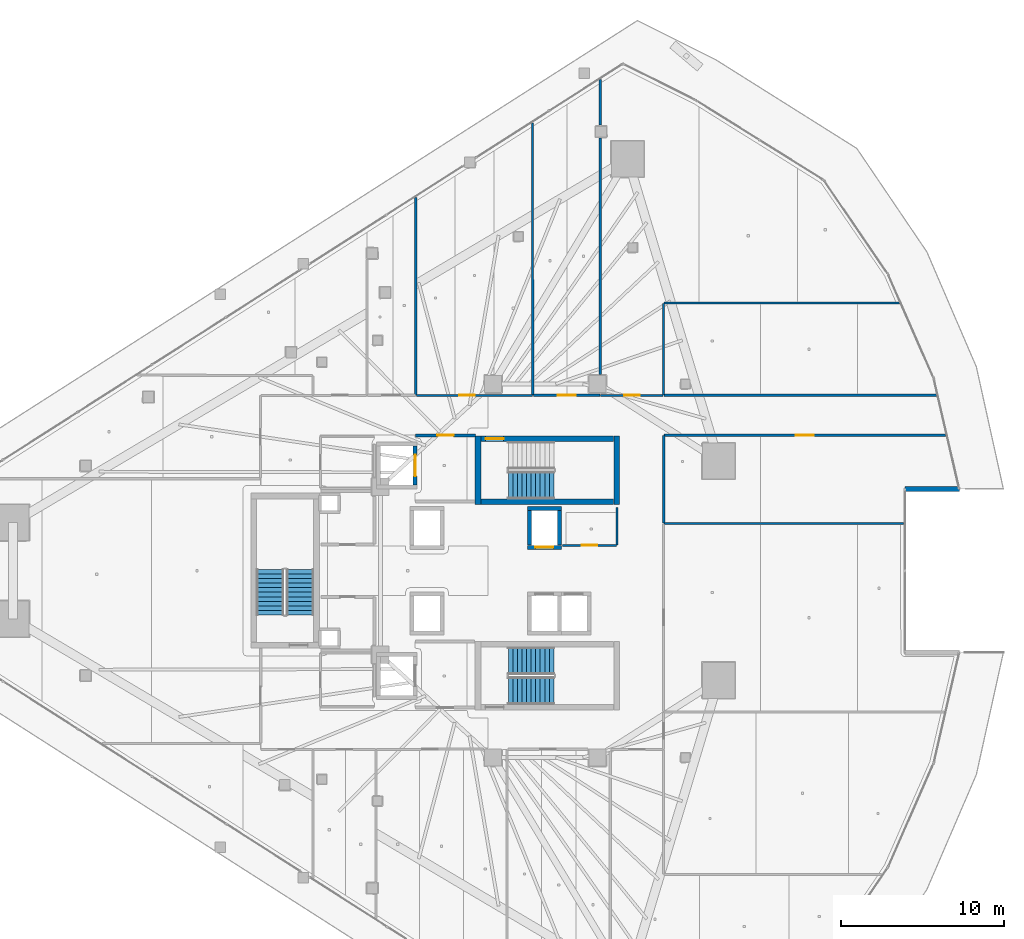
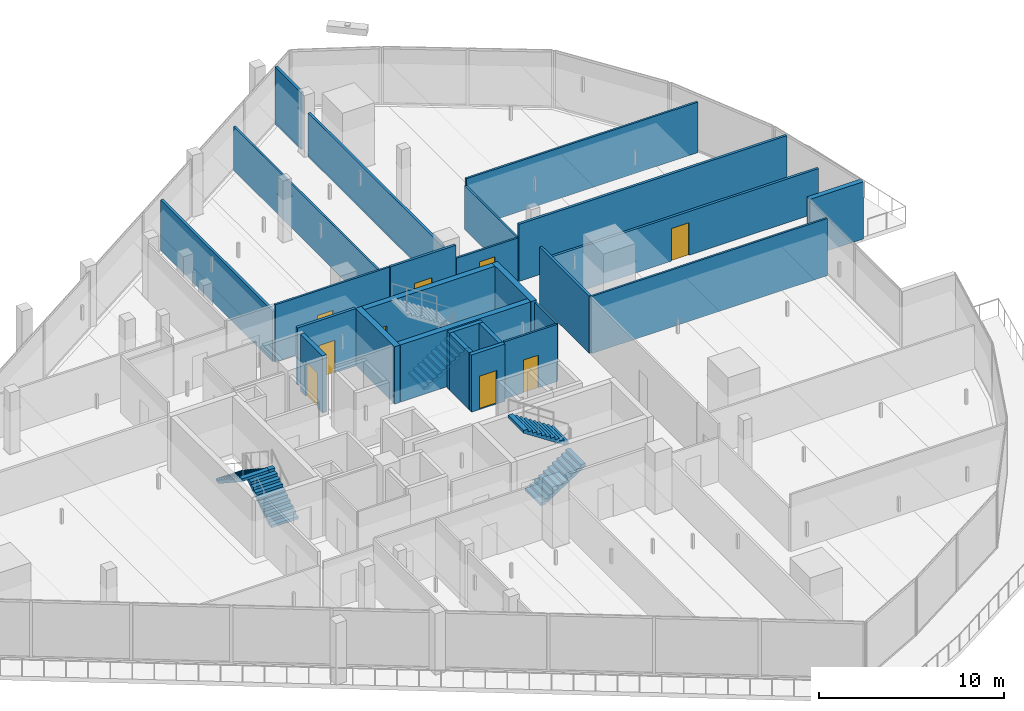
# One storey, part 31 of 44: 26 walls, 9 doors, 5 stair flights, 9 openings, 3 elements without a shape of their own.
"""IFC4 building model written with IfcOpenShell, lengths in metres."""

from ifc_helpers import new_model, si_unit, direction, frame, frame_2d, origin, place, context, subcontext, project, spatial, polyline, rectangle, outline, extrude, material, layer, layer_set, type_object, element, fill, aggregate, save


model = new_model("IFC4")

# Units and contexts
model_context = context("Model", 3, precision=1e-05, world=origin(), true_north=direction((0.0, 1.0)))
body_context = subcontext(model_context, "Body", "Model", "MODEL_VIEW")
ifc_project = project(units=[si_unit("LENGTHUNIT", "METRE"), si_unit("AREAUNIT", "SQUARE_METRE"), si_unit("VOLUMEUNIT", "CUBIC_METRE"), si_unit("PLANEANGLEUNIT", "RADIAN"), si_unit("MASSUNIT", "GRAM", prefix="KILO")], contexts=[model_context])

# Site, building, storey
site_placement = place(None, origin())
site = spatial("IfcSite", under=ifc_project, at=site_placement, CompositionType="ELEMENT")
building_placement = place(site_placement, origin())
building = spatial("IfcBuilding", under=site, at=building_placement, Name="Qorvath Tower", CompositionType="ELEMENT")
storey_placement = place(building_placement, frame((0.0, 0.0, 113.85009765625)))
storey = spatial("IfcBuildingStorey", under=building, at=storey_placement, Name="L25", CompositionType="ELEMENT", Elevation=113.85009765625)

# Wall, opening, door
ifc_material_1 = material(Name="Gypsum shaftliner on steel studs", Category="steel")
ifc_layer_1 = layer(ifc_material_1, 0.179931640625)
ifc_layer_set_1 = layer_set([ifc_layer_1], Name="FW-LOBBY")
wall_type_1 = type_object("IfcWallType", Name="FW-LOBBY", PredefinedType="PARTITIONING", material=ifc_layer_set_1)
wall_1_placement = place(storey_placement, frame((-24.68408203125, 8.300048828125, 0.0), z_axis=(0.0, 0.0, 1.0), x_axis=(-1.0, 0.0, 0.0)))
wall_1 = element("IfcWall", 1, at=wall_1_placement, inside=storey, type_object=wall_type_1, Name="Interior Partition IW-T1-L25-002", PredefinedType="PARTITIONING", context=body_context, shape_type="SweptSolid", body=[
    extrude(rectangle(XDim=3.6708984375, YDim=0.179931640625, at=frame_2d((1.83544921875, 0.0))), origin(), (0.0, 0.0, 1.0), 3.77001953125),
])
opening_1_placement = place(wall_1_placement, frame((1.33544921875, 0.0, 0.0)))
opening_1 = element("IfcOpeningElement", 2, at=opening_1_placement, cuts=wall_1, Name="Opening D-T1-L25-20", PredefinedType="OPENING", context=body_context, shape_type="SweptSolid", body=[
    extrude(rectangle(XDim=1.0, YDim=2.14990234375, at=frame_2d((0.5, 1.074951171875))), frame((0.0, 0.10009765625, 0.0), z_axis=(0.0, -1.0, 0.0), x_axis=(1.0, 0.0, 0.0)), (0.0, 0.0, 1.0), 0.199951171875),
])
ifc_material_2 = material(Name="Painted galvanised hollow metal", Category="steel")
door_type_1 = type_object("IfcDoorType", Name="FD-60", OperationType="NOTDEFINED", PredefinedType="DOOR", material=ifc_material_2)
door_1_placement = place(opening_1_placement, origin())
door_1 = element("IfcDoor", 3, at=door_1_placement, inside=storey, type_object=door_type_1, Name="Lobby Fire Service Elevator North Door D-T1-L25-20", OperationType="SINGLE_SWING_LEFT", OverallHeight=2.14990234375, OverallWidth=1.0, PredefinedType="DOOR", context=body_context, shape_type="SweptSolid", body=[
    extrude(rectangle(XDim=1.0, YDim=2.14990234375, at=frame_2d((0.5, 1.074951171875))), frame((0.0, 0.02490234375, 0.0), z_axis=(0.0, -1.0, 0.0), x_axis=(1.0, 0.0, 0.0)), (0.0, 0.0, 1.0), 0.050048828125),
])
fill(opening_1, door_1)

# Wall
ifc_material_3 = material(Name="Double acoustic gypsum board on steel studs", Category="steel")
ifc_layer_2 = layer(ifc_material_3, 0.159912109375)
ifc_layer_set_2 = layer_set([ifc_layer_2], Name="IW-ACOUSTIC-160")
wall_type_2 = type_object("IfcWallType", Name="IW-ACOUSTIC-160", PredefinedType="PARTITIONING", material=ifc_layer_set_2)
wall_2_placement = place(storey_placement, frame((-28.331298828125, 10.783203125, 0.0), z_axis=(0.0, 0.0, 1.0), x_axis=(0.0, 1.0, 0.0)))
element("IfcWall", 4, at=wall_2_placement, inside=storey, type_object=wall_type_2, Name="Interior Partition IW-T1-L25-026", PredefinedType="PARTITIONING", context=body_context, shape_type="SweptSolid", body=[
    extrude(rectangle(XDim=12.105712890625, YDim=0.159912109375, at=frame_2d((6.052734375, 0.0))), origin(), (0.0, 0.0, 1.0), 3.333984375),
])

# Wall, opening, door
wall_3_placement = place(storey_placement, frame((-21.13525390625, 10.758056640625, 0.0), z_axis=(0.0, 0.0, 1.0), x_axis=(1.0, 0.0, 0.0)))
wall_3 = element("IfcWall", 5, at=wall_3_placement, inside=storey, type_object=wall_type_2, Name="Interior Partition IW-T1-L25-029", PredefinedType="PARTITIONING", context=body_context, shape_type="SweptSolid", body=[
    extrude(rectangle(XDim=4.07861328125, YDim=0.159912109375, at=frame_2d((2.039306640625, 0.0))), origin(), (0.0, 0.0, 1.0), 3.77001953125),
])
opening_2_placement = place(wall_3_placement, frame((1.4892578125, 0.0, 0.0)))
opening_2 = element("IfcOpeningElement", 6, at=opening_2_placement, cuts=wall_3, Name="Opening D-T1-L25-09", PredefinedType="OPENING", context=body_context, shape_type="SweptSolid", body=[
    extrude(rectangle(XDim=1.10009765625, YDim=2.14990234375, at=frame_2d((0.550048828125, 1.074951171875))), frame((0.0, 0.08984375, 0.0), z_axis=(0.0, -1.0, 0.0), x_axis=(1.0, 0.0, 0.0)), (0.0, 0.0, 1.0), 0.179931640625),
])
ifc_material_4 = material(Name="Anodised aluminium acoustic framed glass", Category="aluminium")
door_type_2 = type_object("IfcDoorType", Name="D-03", OperationType="NOTDEFINED", PredefinedType="DOOR", material=ifc_material_4)
door_2_placement = place(opening_2_placement, origin())
door_2 = element("IfcDoor", 7, at=door_2_placement, inside=storey, type_object=door_type_2, Name="L25-04 Client Services Office Door D-T1-L25-09", OperationType="SINGLE_SWING_RIGHT", OverallHeight=2.14990234375, OverallWidth=1.10009765625, PredefinedType="DOOR", context=body_context, shape_type="SweptSolid", body=[
    extrude(rectangle(XDim=1.10009765625, YDim=2.14990234375, at=frame_2d((0.550048828125, 1.074951171875))), frame((0.0, 0.02490234375, 0.0), z_axis=(0.0, -1.0, 0.0), x_axis=(1.0, 0.0, 0.0)), (0.0, 0.0, 1.0), 0.050048828125),
])
fill(opening_2, door_2)

# Walls
wall_4_placement = place(storey_placement, frame((-17.03173828125, 12.0400390625, 0.0), z_axis=(0.0, 0.0, 1.0), x_axis=(0.0, 1.0, 0.0)))
element("IfcWall", 8, at=wall_4_placement, inside=storey, type_object=wall_type_2, Name="Interior Partition IW-T1-L25-030", PredefinedType="PARTITIONING", context=body_context, shape_type="SweptSolid", body=[
    extrude(rectangle(XDim=14.499267578125, YDim=0.159912109375, at=frame_2d((7.24951171875, 0.0))), origin(), (0.0, 0.0, 1.0), 2.885009765625),
])
wall_5_placement = place(storey_placement, frame((-17.03173828125, 27.319091796875, 0.0), z_axis=(0.0, 0.0, 1.0), x_axis=(0.0, 1.0, 0.0)))
element("IfcWall", 9, at=wall_5_placement, inside=storey, type_object=wall_type_2, Name="Interior Partition IW-T1-L25-031", PredefinedType="PARTITIONING", context=body_context, shape_type="SweptSolid", body=[
    extrude(rectangle(XDim=2.791748046875, YDim=0.159912109375, at=frame_2d((1.39599609375, 0.0))), origin(), (0.0, 0.0, 1.0), 3.77001953125),
])
wall_6_placement = place(storey_placement, frame((3.581298828125, 10.758056640625, 0.0), z_axis=(0.0, 0.0, 1.0), x_axis=(-1.0, 0.0, 0.0)))
element("IfcWall", 10, at=wall_6_placement, inside=storey, type_object=wall_type_2, Name="Interior Partition IW-T1-L25-051", PredefinedType="PARTITIONING", context=body_context, shape_type="SweptSolid", body=[
    extrude(rectangle(XDim=16.698486328125, YDim=0.159912109375, at=frame_2d((8.34912109375, 0.0))), origin(), (0.0, 0.0, 1.0), 3.77001953125),
])

# Wall, opening, door
wall_7_placement = place(storey_placement, frame((-13.1171875, 8.31201171875, 0.0), z_axis=(0.0, 0.0, 1.0), x_axis=(1.0, 0.0, 0.0)))
wall_7 = element("IfcWall", 11, at=wall_7_placement, inside=storey, type_object=wall_type_2, Name="Interior Partition IW-T1-L25-052", PredefinedType="PARTITIONING", context=body_context, shape_type="SweptSolid", body=[
    extrude(rectangle(XDim=17.263916015625, YDim=0.159912109375, at=frame_2d((8.6318359375, 0.0))), origin(), (0.0, 0.0, 1.0), 2.885009765625),
])
opening_3_placement = place(wall_7_placement, frame((8.08203125, 0.0, 0.0)))
opening_3 = element("IfcOpeningElement", 12, at=opening_3_placement, cuts=wall_7, Name="Opening D-T1-L25-17", PredefinedType="OPENING", context=body_context, shape_type="SweptSolid", body=[
    extrude(rectangle(XDim=1.10009765625, YDim=2.14990234375, at=frame_2d((0.550048828125, 1.074951171875))), frame((0.0, 0.08984375, 0.0), z_axis=(0.0, -1.0, 0.0), x_axis=(1.0, 0.0, 0.0)), (0.0, 0.0, 1.0), 0.179931640625),
])
door_3_placement = place(opening_3_placement, origin())
door_3 = element("IfcDoor", 13, at=door_3_placement, inside=storey, type_object=door_type_2, Name="L25-12 Enclosed Conference Suite Door D-T1-L25-17", OperationType="SINGLE_SWING_RIGHT", OverallHeight=2.14990234375, OverallWidth=1.10009765625, PredefinedType="DOOR", context=body_context, shape_type="SweptSolid", body=[
    extrude(rectangle(XDim=1.10009765625, YDim=2.14990234375, at=frame_2d((0.550048828125, 1.074951171875))), frame((0.0, 0.02490234375, 0.0), z_axis=(0.0, -1.0, 0.0), x_axis=(1.0, 0.0, 0.0)), (0.0, 0.0, 1.0), 0.050048828125),
])
fill(opening_3, door_3)

# Wall
wall_8_placement = place(storey_placement, frame((-13.14208984375, 8.287109375, 0.0), z_axis=(0.0, 0.0, 1.0), x_axis=(0.0, -1.0, 0.0)))
element("IfcWall", 14, at=wall_8_placement, inside=storey, type_object=wall_type_2, Name="Interior Partition IW-T1-L25-053", PredefinedType="PARTITIONING", context=body_context, shape_type="SweptSolid", body=[
    extrude(rectangle(XDim=5.35107421875, YDim=0.159912109375, at=frame_2d((2.675537109375, 0.0))), origin(), (0.0, 0.0, 1.0), 3.77001953125),
])

# Wall, opening, door
ifc_material_5 = material(Name="Gypsum board on metal studs with mineral wool", Category="gypsum")
ifc_layer_3 = layer(ifc_material_5, 0.125)
ifc_layer_set_3 = layer_set([ifc_layer_3], Name="IW-PART-125")
wall_type_3 = type_object("IfcWallType", Name="IW-PART-125", PredefinedType="PARTITIONING", material=ifc_layer_set_3)
wall_9_placement = place(storey_placement, frame((-19.333740234375, 1.56005859375, 0.0), z_axis=(0.0, 0.0, 1.0), x_axis=(1.0, 0.0, 0.0)))
wall_9 = element("IfcWall", 15, at=wall_9_placement, inside=storey, type_object=wall_type_3, Name="Interior Partition IW-T1-L25-013", PredefinedType="PARTITIONING", context=body_context, shape_type="SweptSolid", body=[
    extrude(rectangle(XDim=3.308837890625, YDim=0.125, at=frame_2d((1.654296875, 0.0))), origin(), (0.0, 0.0, 1.0), 3.77001953125),
])
opening_4_placement = place(wall_9_placement, frame((1.179443359375, 0.0, 0.0)))
opening_4 = element("IfcOpeningElement", 16, at=opening_4_placement, cuts=wall_9, Name="Opening D-T1-L25-03", PredefinedType="OPENING", context=body_context, shape_type="SweptSolid", body=[
    extrude(rectangle(XDim=0.949951171875, YDim=2.14990234375, at=frame_2d((0.47509765625, 1.074951171875))), frame((0.0, 0.072509765625, 0.0), z_axis=(0.0, -1.0, 0.0), x_axis=(1.0, 0.0, 0.0)), (0.0, 0.0, 1.0), 0.14501953125),
])
ifc_material_6 = material(Name="Solid-core American white oak veneer", Category="wood")
door_type_3 = type_object("IfcDoorType", Name="D-01", OperationType="NOTDEFINED", PredefinedType="DOOR", material=ifc_material_6)
door_4_placement = place(opening_4_placement, origin())
door_4 = element("IfcDoor", 17, at=door_4_placement, inside=storey, type_object=door_type_3, Name="L25-RCN North Staff Refreshment Pantry Door D-T1-L25-03", OperationType="SINGLE_SWING_RIGHT", OverallHeight=2.14990234375, OverallWidth=0.949951171875, PredefinedType="DOOR", context=body_context, shape_type="SweptSolid", body=[
    extrude(rectangle(XDim=0.949951171875, YDim=2.14990234375, at=frame_2d((0.47509765625, 1.074951171875))), frame((0.0, 0.02490234375, 0.0), z_axis=(0.0, -1.0, 0.0), x_axis=(1.0, 0.0, 0.0)), (0.0, 0.0, 1.0), 0.050048828125),
])
fill(opening_4, door_4)

# Wall
wall_10_placement = place(storey_placement, frame((-16.0, 1.585205078125, 0.0), z_axis=(0.0, 0.0, 1.0), x_axis=(0.0, 1.0, 0.0)))
element("IfcWall", 18, at=wall_10_placement, inside=storey, type_object=wall_type_3, Name="Interior Partition IW-T1-L25-014", PredefinedType="PARTITIONING", context=body_context, shape_type="SweptSolid", body=[
    extrude(rectangle(XDim=2.30224609375, YDim=0.125, at=frame_2d((1.151123046875, 0.0))), origin(), (0.0, 0.0, 1.0), 3.77001953125),
])

# Wall, opening, door
wall_11_placement = place(storey_placement, frame((-28.298583984375, 10.758056640625, 0.0), z_axis=(0.0, 0.0, 1.0), x_axis=(1.0, 0.0, 0.0)))
wall_11 = element("IfcWall", 19, at=wall_11_placement, inside=storey, type_object=wall_type_3, Name="Interior Partition IW-T1-L25-027", PredefinedType="PARTITIONING", context=body_context, shape_type="SweptSolid", body=[
    extrude(rectangle(XDim=7.10546875, YDim=0.125, at=frame_2d((3.552734375, 0.0))), origin(), (0.0, 0.0, 1.0), 3.77001953125),
])
opening_5_placement = place(wall_11_placement, frame((2.63818359375, 0.0, 0.0)))
opening_5 = element("IfcOpeningElement", 20, at=opening_5_placement, cuts=wall_11, Name="Opening D-T1-L25-08", PredefinedType="OPENING", context=body_context, shape_type="SweptSolid", body=[
    extrude(rectangle(XDim=0.949951171875, YDim=2.14990234375, at=frame_2d((0.47509765625, 1.074951171875))), frame((0.0, 0.072509765625, 0.0), z_axis=(0.0, -1.0, 0.0), x_axis=(1.0, 0.0, 0.0)), (0.0, 0.0, 1.0), 0.14501953125),
])
door_5_placement = place(opening_5_placement, origin())
door_5 = element("IfcDoor", 21, at=door_5_placement, inside=storey, type_object=door_type_3, Name="L25-03 Focus Collaboration Pod Door D-T1-L25-08", OperationType="SINGLE_SWING_LEFT", OverallHeight=2.14990234375, OverallWidth=0.949951171875, PredefinedType="DOOR", context=body_context, shape_type="SweptSolid", body=[
    extrude(rectangle(XDim=0.949951171875, YDim=2.14990234375, at=frame_2d((0.47509765625, 1.074951171875))), frame((0.0, 0.02490234375, 0.0), z_axis=(0.0, -1.0, 0.0), x_axis=(1.0, 0.0, 0.0)), (0.0, 0.0, 1.0), 0.050048828125),
])
fill(opening_5, door_5)

# Wall
wall_12_placement = place(storey_placement, frame((-21.168212890625, 10.783203125, 0.0), z_axis=(0.0, 0.0, 1.0), x_axis=(-0.000190255964, 0.999999981901, 0.0)))
element("IfcWall", 22, at=wall_12_placement, inside=storey, type_object=wall_type_3, Name="Interior Partition IW-T1-L25-028", PredefinedType="PARTITIONING", context=body_context, shape_type="SweptSolid", body=[
    extrude(rectangle(XDim=16.681884765625, YDim=0.125, at=frame_2d((8.3408203125, 0.0))), origin(), (0.0, 0.0, 1.0), 2.885009765625),
])

# Wall, opening, door
wall_13_placement = place(storey_placement, frame((-16.998779296875, 10.758056640625, 0.0), z_axis=(0.0, 0.0, 1.0), x_axis=(1.0, 0.0, 0.0)))
wall_13 = element("IfcWall", 23, at=wall_13_placement, inside=storey, type_object=wall_type_3, Name="Interior Partition IW-T1-L25-032", PredefinedType="PARTITIONING", context=body_context, shape_type="SweptSolid", body=[
    extrude(rectangle(XDim=3.823974609375, YDim=0.125, at=frame_2d((1.912109375, 0.0))), origin(), (0.0, 0.0, 1.0), 2.885009765625),
])
opening_6_placement = place(wall_13_placement, frame((1.43701171875, 0.0, 0.0)))
opening_6 = element("IfcOpeningElement", 24, at=opening_6_placement, cuts=wall_13, Name="Opening D-T1-L25-10", PredefinedType="OPENING", context=body_context, shape_type="SweptSolid", body=[
    extrude(rectangle(XDim=0.949951171875, YDim=2.14990234375, at=frame_2d((0.47509765625, 1.074951171875))), frame((0.0, 0.072509765625, 0.0), z_axis=(0.0, -1.0, 0.0), x_axis=(1.0, 0.0, 0.0)), (0.0, 0.0, 1.0), 0.14501953125),
])
door_6_placement = place(opening_6_placement, origin())
door_6 = element("IfcDoor", 25, at=door_6_placement, inside=storey, type_object=door_type_3, Name="L25-05 Project Collaboration Workspace Door D-T1-L25-10", OperationType="SINGLE_SWING_LEFT", OverallHeight=2.14990234375, OverallWidth=0.949951171875, PredefinedType="DOOR", context=body_context, shape_type="SweptSolid", body=[
    extrude(rectangle(XDim=0.949951171875, YDim=2.14990234375, at=frame_2d((0.47509765625, 1.074951171875))), frame((0.0, 0.02490234375, 0.0), z_axis=(0.0, -1.0, 0.0), x_axis=(1.0, 0.0, 0.0)), (0.0, 0.0, 1.0), 0.050048828125),
])
fill(opening_6, door_6)

# Walls
wall_14_placement = place(storey_placement, frame((-13.14990234375, 16.389892578125, 0.0), z_axis=(0.0, 0.0, 1.0), x_axis=(0.0, -1.0, 0.0)))
element("IfcWall", 26, at=wall_14_placement, inside=storey, type_object=wall_type_3, Name="Interior Partition IW-T1-L25-033", PredefinedType="PARTITIONING", context=body_context, shape_type="SweptSolid", body=[
    extrude(rectangle(XDim=5.606689453125, YDim=0.125, at=frame_2d((2.80322265625, 0.0))), origin(), (0.0, 0.0, 1.0), 2.889892578125),
])
wall_15_placement = place(storey_placement, frame((-13.125, 16.4150390625, 0.0), z_axis=(0.0, 0.0, 1.0), x_axis=(0.999999910658, 0.000422711402, 0.0)))
element("IfcWall", 27, at=wall_15_placement, inside=storey, type_object=wall_type_3, Name="Interior Partition IW-T1-L25-034", PredefinedType="PARTITIONING", context=body_context, shape_type="SweptSolid", body=[
    extrude(rectangle(XDim=14.43896484375, YDim=0.125, at=frame_2d((7.219482421875, 0.0))), origin(), (0.0, 0.0, 1.0), 3.333984375),
])
wall_16_placement = place(storey_placement, frame((1.568603515625, 2.9033203125, 0.0), z_axis=(0.0, 0.0, 1.0), x_axis=(-1.0, 0.0, 0.0)))
element("IfcWall", 28, at=wall_16_placement, inside=storey, type_object=wall_type_3, Name="Interior Partition IW-T1-L25-049", PredefinedType="PARTITIONING", context=body_context, shape_type="SweptSolid", body=[
    extrude(rectangle(XDim=14.685791015625, YDim=0.125, at=frame_2d((7.3427734375, 0.0))), origin(), (0.0, 0.0, 1.0), 3.77001953125),
])

# Wall, opening, door
ifc_material_7 = material(Name="Concrete C60/75", Category="concrete")
ifc_layer_4 = layer(ifc_material_7, 0.260009765625)
ifc_layer_set_4 = layer_set([ifc_layer_4], Name="SW-SHAFT")
wall_type_4 = type_object("IfcWallType", Name="SW-SHAFT", PredefinedType="SHEAR", material=ifc_layer_set_4)
wall_17_placement = place(storey_placement, frame((-28.3798828125, 7.637939453125, 0.0), z_axis=(0.0, 0.0, 1.0), x_axis=(0.0, -1.0, 0.0)))
wall_17 = element("IfcWall", 29, at=wall_17_placement, inside=storey, type_object=wall_type_4, Name="Hoistway Wall FSAE-1 L25 E", PredefinedType="SHEAR", context=body_context, shape_type="SweptSolid", body=[
    extrude(rectangle(XDim=2.3759765625, YDim=0.239990234375, at=frame_2d((1.18798828125, 0.0))), origin(), (0.0, 0.0, 1.0), 3.77001953125),
])
opening_7_placement = place(wall_17_placement, frame((0.537841796875, 0.0, 0.0)))
opening_7 = element("IfcOpeningElement", 30, at=opening_7_placement, cuts=wall_17, Name="Opening LD-FSAE-1-L25", PredefinedType="OPENING", context=body_context, shape_type="SweptSolid", body=[
    extrude(rectangle(XDim=1.300048828125, YDim=2.300048828125, at=frame_2d((0.64990234375, 1.14990234375))), frame((0.0, 0.1298828125, 0.0), z_axis=(0.0, -1.0, 0.0), x_axis=(1.0, 0.0, 0.0)), (0.0, 0.0, 1.0), 0.260009765625),
])
ifc_material_8 = material(Name="Brushed stainless steel AISI 316", Category="steel")
door_type_4 = type_object("IfcDoorType", Name="LD-02", OperationType="NOTDEFINED", PredefinedType="DOOR", material=ifc_material_8)
door_7_placement = place(opening_7_placement, origin())
door_7 = element("IfcDoor", 31, at=door_7_placement, inside=storey, type_object=door_type_4, Name="Elevator Landing Sliding Door LD-FSAE-1-L25", OperationType="DOUBLE_DOOR_SLIDING", OverallHeight=2.300048828125, OverallWidth=1.300048828125, PredefinedType="DOOR", context=body_context, shape_type="SweptSolid", body=[
    extrude(rectangle(XDim=1.300048828125, YDim=2.300048828125, at=frame_2d((0.64990234375, 1.14990234375))), frame((0.0, 0.02490234375, 0.0), z_axis=(0.0, -1.0, 0.0), x_axis=(1.0, 0.0, 0.0)), (0.0, 0.0, 1.0), 0.050048828125),
])
fill(opening_7, door_7)

wall_18_placement = place(storey_placement, frame((-19.409912109375, 1.429931640625, 0.0), z_axis=(0.0, 0.0, 1.0), x_axis=(-1.0, 0.0, 0.0)))
wall_18 = element("IfcWall", 32, at=wall_18_placement, inside=storey, type_object=wall_type_4, Name="Hoistway Wall PM-1 L25 S", PredefinedType="SHEAR", context=body_context, shape_type="SweptSolid", body=[
    extrude(rectangle(XDim=2.080078125, YDim=0.239990234375, at=frame_2d((1.0400390625, 0.0))), origin(), (0.0, 0.0, 1.0), 3.77001953125),
])
opening_8_placement = place(wall_18_placement, frame((0.489990234375, 0.0, 0.0)))
opening_8 = element("IfcOpeningElement", 33, at=opening_8_placement, cuts=wall_18, Name="Opening LD-PM-1-L25", PredefinedType="OPENING", context=body_context, shape_type="SweptSolid", body=[
    extrude(rectangle(XDim=1.10009765625, YDim=2.199951171875, at=frame_2d((0.550048828125, 1.10009765625))), frame((0.0, 0.1298828125, 0.0), z_axis=(0.0, -1.0, 0.0), x_axis=(1.0, 0.0, 0.0)), (0.0, 0.0, 1.0), 0.260009765625),
])
ifc_material_9 = material(Name="Brushed stainless steel AISI 316", Category="steel")
door_type_5 = type_object("IfcDoorType", Name="LD-01", OperationType="NOTDEFINED", PredefinedType="DOOR", material=ifc_material_9)
door_8_placement = place(opening_8_placement, origin())
door_8 = element("IfcDoor", 34, at=door_8_placement, inside=storey, type_object=door_type_5, Name="Elevator Landing Sliding Door LD-PM-1-L25", OperationType="DOUBLE_DOOR_SLIDING", OverallHeight=2.199951171875, OverallWidth=1.10009765625, PredefinedType="DOOR", context=body_context, shape_type="SweptSolid", body=[
    extrude(rectangle(XDim=1.10009765625, YDim=2.199951171875, at=frame_2d((0.550048828125, 1.10009765625))), frame((0.0, 0.02490234375, 0.0), z_axis=(0.0, -1.0, 0.0), x_axis=(1.0, 0.0, 0.0)), (0.0, 0.0, 1.0), 0.050048828125),
])
fill(opening_8, door_8)

# Walls
wall_19_placement = place(storey_placement, frame((-21.489990234375, 3.820068359375, 0.0), z_axis=(0.0, 0.0, 1.0), x_axis=(1.0, 0.0, 0.0)))
element("IfcWall", 35, at=wall_19_placement, inside=storey, type_object=wall_type_4, Name="Hoistway Wall PM-1 L25 N", PredefinedType="SHEAR", context=body_context, shape_type="SweptSolid", body=[
    extrude(rectangle(XDim=2.080078125, YDim=0.239990234375, at=frame_2d((1.0400390625, 0.0))), origin(), (0.0, 0.0, 1.0), 3.77001953125),
])
for number, where, z_axis, x_axis, name in (
    (36, (-21.3701171875, 1.56201171875, 0.0), (0.0, 0.0, 1.0), (0.0, 1.0, 0.0), "Hoistway Wall PM-1 L25 W"),
    (37, (-19.530029296875, 3.68798828125, 0.0), (0.0, 0.0, 1.0), (0.0, -1.0, 0.0), "Hoistway Wall PM-1 L25 E"),
):
    element("IfcWall", number, at=place(storey_placement, frame(where, z_axis=z_axis, x_axis=x_axis)), inside=storey, type_object=wall_type_4, Name=name, PredefinedType="SHEAR", context=body_context, shape_type="SweptSolid", body=[
        extrude(rectangle(XDim=2.1259765625, YDim=0.239990234375, at=frame_2d((1.06298828125, 0.0))), origin(), (0.0, 0.0, 1.0), 3.77001953125),
    ])
ifc_material_10 = material(Name="Concrete C60/75", Category="concrete")
ifc_layer_5 = layer(ifc_material_10, 0.35009765625)
ifc_layer_set_5 = layer_set([ifc_layer_5], Name="SW-STAIR")
wall_type_5 = type_object("IfcWallType", Name="SW-STAIR", PredefinedType="SHEAR", material=ifc_layer_set_5)
for number, where, z_axis, x_axis, name in (
    (38, (-24.52490234375, 8.260009765625, 0.0), (0.0, 0.0, 1.0), (0.0, -1.0, 0.0), "Stair TS1 Shear Wall L25 NEAR"),
    (39, (-16.02490234375, 4.050048828125, 0.0), (0.0, 0.0, 1.0), (0.0, 1.0, 0.0), "Stair TS1 Shear Wall L25 FAR"),
):
    element("IfcWall", number, at=place(storey_placement, frame(where, z_axis=z_axis, x_axis=x_axis)), inside=storey, type_object=wall_type_5, Name=name, PredefinedType="SHEAR", context=body_context, shape_type="SweptSolid", body=[
        extrude(rectangle(XDim=4.2099609375, YDim=0.35009765625, at=frame_2d((2.10498046875, 0.0))), origin(), (0.0, 0.0, 1.0), 3.77001953125),
    ])
wall_20_placement = place(storey_placement, frame((-24.3349609375, 4.22509765625, 0.0), z_axis=(0.0, 0.0, 1.0), x_axis=(1.0, 0.0, 0.0)))
element("IfcWall", 40, at=wall_20_placement, inside=storey, type_object=wall_type_5, Name="Stair TS1 Shear Wall L25 LEFT", PredefinedType="SHEAR", context=body_context, shape_type="SweptSolid", body=[
    extrude(rectangle(XDim=8.119873046875, YDim=0.35009765625, at=frame_2d((4.06005859375, 0.0))), origin(), (0.0, 0.0, 1.0), 3.77001953125),
])

# Wall, opening, door
wall_21_placement = place(storey_placement, frame((-16.215087890625, 8.0849609375, 0.0), z_axis=(0.0, 0.0, 1.0), x_axis=(-1.0, 0.0, 0.0)))
wall_21 = element("IfcWall", 41, at=wall_21_placement, inside=storey, type_object=wall_type_5, Name="Stair TS1 Shear Wall L25 RIGHT", PredefinedType="SHEAR", context=body_context, shape_type="SweptSolid", body=[
    extrude(rectangle(XDim=8.119873046875, YDim=0.35009765625, at=frame_2d((4.06005859375, 0.0))), origin(), (0.0, 0.0, 1.0), 3.77001953125),
])
opening_9_placement = place(wall_21_placement, frame((6.739990234375, 0.0, 0.0)))
opening_9 = element("IfcOpeningElement", 42, at=opening_9_placement, cuts=wall_21, Name="Opening D-TS1-L25", PredefinedType="OPENING", context=body_context, shape_type="SweptSolid", body=[
    extrude(rectangle(XDim=1.10009765625, YDim=2.199951171875, at=frame_2d((0.550048828125, 1.10009765625))), frame((0.0, 0.18505859375, 0.0), z_axis=(0.0, -1.0, 0.0), x_axis=(1.0, 0.0, 0.0)), (0.0, 0.0, 1.0), 0.3701171875),
])
ifc_material_11 = material(Name="Painted galvanised hollow metal", Category="steel")
door_type_6 = type_object("IfcDoorType", Name="FD-90", OperationType="NOTDEFINED", PredefinedType="DOOR", material=ifc_material_11)
door_9_placement = place(opening_9_placement, origin())
door_9 = element("IfcDoor", 43, at=door_9_placement, inside=storey, type_object=door_type_6, Name="Stair TS1 Fire Door L25", OperationType="SINGLE_SWING_RIGHT", OverallHeight=2.199951171875, OverallWidth=1.10009765625, PredefinedType="DOOR", context=body_context, shape_type="SweptSolid", body=[
    extrude(rectangle(XDim=1.10009765625, YDim=2.199951171875, at=frame_2d((0.550048828125, 1.10009765625))), frame((0.0, 0.02490234375, 0.0), z_axis=(0.0, -1.0, 0.0), x_axis=(1.0, 0.0, 0.0)), (0.0, 0.0, 1.0), 0.050048828125),
])
fill(opening_9, door_9)

# Wall
ifc_material_12 = material(Name="Precast concrete C45/55", Category="concrete")
ifc_layer_6 = layer(ifc_material_12, 0.300048828125)
ifc_layer_set_6 = layer_set([ifc_layer_6], Name="WL-EW-LOG-300")
wall_type_6 = type_object("IfcWallType", Name="WL-EW-LOG-300", PredefinedType="SOLIDWALL", material=ifc_layer_set_6)
wall_22_placement = place(storey_placement, frame((1.648681640625, 5.01123046875, 0.0), z_axis=(0.0, 0.0, 1.0), x_axis=(1.0, 0.0, 0.0)))
element("IfcWall", 44, at=wall_22_placement, inside=storey, type_object=wall_type_6, Name="Tower Precast Loggia Wall L25-10.1", PredefinedType="SOLIDWALL", context=body_context, shape_type="SweptSolid", body=[
    extrude(rectangle(XDim=3.3408203125, YDim=0.300048828125, at=frame_2d((1.67041015625, 0.0))), origin(), (0.0, 0.0, 1.0), 3.77001953125),
])

# Stair, stair flight
ifc_material_13 = material(Name="Concrete C50/60", Category="concrete")
stair_type = type_object("IfcStairType", Name="ST-H405", PredefinedType="HALF_TURN_STAIR", material=ifc_material_13)
stair_1_placement = place(storey_placement, origin())
stair_1 = element("IfcStair", 45, at=stair_1_placement, inside=storey, type_object=stair_type, Name="L25 Tower Exit Stair 1", PredefinedType="HALF_TURN_STAIR")
ifc_material_14 = material(Name="Concrete C50/60", Category="concrete")
ifc_layer_7 = layer(ifc_material_14, 0.14990234375)
ifc_layer_set_7 = layer_set([ifc_layer_7], Name="SF-H405")
stair_flight_type = type_object("IfcStairFlightType", Name="SF-H405", PredefinedType="STRAIGHT", material=ifc_layer_set_7)
stair_flight_1_placement = place(storey_placement, frame((-22.669921875, 5.239990234375, 0.0), z_axis=(0.0, 0.0, 1.0), x_axis=(1.0, 0.0, 0.0)))
stair_flight_1 = element("IfcStairFlight", 46, at=stair_flight_1_placement, type_object=stair_flight_type, Name="TS1 flight 1", NumberOfRisers=11, NumberOfTreads=10, PredefinedType="STRAIGHT", RiserHeight=0.184090909, TreadLength=0.28, context=body_context, shape_type="SweptSolid", body=[
    extrude(outline(polyline([(0.0, 0.0), (0.0, 0.18408203125), (0.280029296875, 0.18408203125), (0.280029296875, 0.3681640625), (0.56005859375, 0.3681640625), (0.56005859375, 0.55224609375), (0.840087890625, 0.55224609375), (0.840087890625, 0.736328125), (1.1201171875, 0.736328125), (1.1201171875, 0.92041015625), (1.39990234375, 0.92041015625), (1.39990234375, 1.1044921875), (1.679931640625, 1.1044921875), (1.679931640625, 1.28857421875), (1.9599609375, 1.28857421875), (1.9599609375, 1.47265625), (2.239990234375, 1.47265625), (2.239990234375, 1.65673828125), (2.52001953125, 1.65673828125), (2.52001953125, 1.8408203125), (2.800048828125, 1.8408203125), (2.800048828125, 2.02490234375), (2.800048828125, 1.66162109375), (0.27294921875, 0.0), (0.0, 0.0)])), frame((0.0, 0.83984375, 0.0), z_axis=(0.0, -1.0, 0.0), x_axis=(1.0, 0.0, 0.0)), (0.0, 0.0, 1.0), 1.679931640625),
])
aggregate(stair_1, [stair_flight_1])

# Stair, stair flights
stair_2_placement = place(storey_placement, origin())
stair_2 = element("IfcStair", 47, at=stair_2_placement, inside=storey, type_object=stair_type, Name="L25 Tower Exit Stair 2", PredefinedType="HALF_TURN_STAIR")
stair_flight_2_placement = place(storey_placement, frame((-22.669921875, -7.360107421875, 0.0), z_axis=(0.0, 0.0, 1.0), x_axis=(1.0, 0.0, 0.0)))
stair_flight_2 = element("IfcStairFlight", 48, at=stair_flight_2_placement, type_object=stair_flight_type, Name="TS2 flight 1", NumberOfRisers=11, NumberOfTreads=10, PredefinedType="STRAIGHT", RiserHeight=0.184090909, TreadLength=0.28, context=body_context, shape_type="SweptSolid", body=[
    extrude(outline(polyline([(0.0, 0.0), (0.0, 0.18408203125), (0.280029296875, 0.18408203125), (0.280029296875, 0.3681640625), (0.56005859375, 0.3681640625), (0.56005859375, 0.55224609375), (0.840087890625, 0.55224609375), (0.840087890625, 0.736328125), (1.1201171875, 0.736328125), (1.1201171875, 0.92041015625), (1.39990234375, 0.92041015625), (1.39990234375, 1.1044921875), (1.679931640625, 1.1044921875), (1.679931640625, 1.28857421875), (1.9599609375, 1.28857421875), (1.9599609375, 1.47265625), (2.239990234375, 1.47265625), (2.239990234375, 1.65673828125), (2.52001953125, 1.65673828125), (2.52001953125, 1.8408203125), (2.800048828125, 1.8408203125), (2.800048828125, 2.02490234375), (2.800048828125, 1.66162109375), (0.27294921875, 0.0), (0.0, 0.0)])), frame((0.0, 0.83984375, 0.0), z_axis=(0.0, -1.0, 0.0), x_axis=(1.0, 0.0, 0.0)), (0.0, 0.0, 1.0), 1.679931640625),
])
stair_flight_3_placement = place(storey_placement, frame((-19.8701171875, -5.530029296875, 2.02490234375), z_axis=(0.0, 0.0, 1.0), x_axis=(-1.0, 0.0, 0.0)))
stair_flight_3 = element("IfcStairFlight", 49, at=stair_flight_3_placement, type_object=stair_flight_type, Name="TS2 flight 2", NumberOfRisers=11, NumberOfTreads=10, PredefinedType="STRAIGHT", RiserHeight=0.184090909, TreadLength=0.28, context=body_context, shape_type="SweptSolid", body=[
    extrude(outline(polyline([(0.0, 0.0), (0.0, 0.18408203125), (0.280029296875, 0.18408203125), (0.280029296875, 0.3681640625), (0.56005859375, 0.3681640625), (0.56005859375, 0.55224609375), (0.840087890625, 0.55224609375), (0.840087890625, 0.736328125), (1.1201171875, 0.736328125), (1.1201171875, 0.92041015625), (1.39990234375, 0.92041015625), (1.39990234375, 1.1044921875), (1.679931640625, 1.1044921875), (1.679931640625, 1.28857421875), (1.9599609375, 1.28857421875), (1.9599609375, 1.47265625), (2.239990234375, 1.47265625), (2.239990234375, 1.65673828125), (2.52001953125, 1.65673828125), (2.52001953125, 1.8408203125), (2.800048828125, 1.8408203125), (2.800048828125, 2.02490234375), (2.800048828125, 1.66162109375), (0.27294921875, 0.0), (0.0, 0.0)])), frame((0.0, 0.83984375, 0.0), z_axis=(0.0, -1.0, 0.0), x_axis=(1.0, 0.0, 0.0)), (0.0, 0.0, 1.0), 1.679931640625),
])
aggregate(stair_2, [stair_flight_2, stair_flight_3])

stair_3_placement = place(storey_placement, origin())
stair_3 = element("IfcStair", 50, at=stair_3_placement, inside=storey, type_object=stair_type, Name="L25 Tower Exit Stair 3", PredefinedType="HALF_TURN_STAIR")
stair_flight_4_placement = place(storey_placement, frame((-35.43994140625, -2.719970703125, 0.0), z_axis=(0.0, 0.0, 1.0), x_axis=(0.0, 1.0, 0.0)))
stair_flight_4 = element("IfcStairFlight", 51, at=stair_flight_4_placement, type_object=stair_flight_type, Name="TS3 flight 1", NumberOfRisers=11, NumberOfTreads=10, PredefinedType="STRAIGHT", RiserHeight=0.184090909, TreadLength=0.28, context=body_context, shape_type="SweptSolid", body=[
    extrude(outline(polyline([(0.0, 0.0), (0.0, 0.18408203125), (0.280029296875, 0.18408203125), (0.280029296875, 0.3681640625), (0.56005859375, 0.3681640625), (0.56005859375, 0.55224609375), (0.840087890625, 0.55224609375), (0.840087890625, 0.736328125), (1.1201171875, 0.736328125), (1.1201171875, 0.92041015625), (1.39990234375, 0.92041015625), (1.39990234375, 1.1044921875), (1.679931640625, 1.1044921875), (1.679931640625, 1.28857421875), (1.9599609375, 1.28857421875), (1.9599609375, 1.47265625), (2.239990234375, 1.47265625), (2.239990234375, 1.65673828125), (2.52001953125, 1.65673828125), (2.52001953125, 1.8408203125), (2.800048828125, 1.8408203125), (2.800048828125, 2.02490234375), (2.800048828125, 1.66162109375), (0.27294921875, 0.0), (0.0, 0.0)])), frame((0.0, 0.83984375, 0.0), z_axis=(0.0, -1.0, 0.0), x_axis=(1.0, 0.0, 0.0)), (0.0, 0.0, 1.0), 1.679931640625),
])
stair_flight_5_placement = place(storey_placement, frame((-37.27001953125, 0.080078125, 2.02490234375), z_axis=(0.0, 0.0, 1.0), x_axis=(0.0, -1.0, 0.0)))
stair_flight_5 = element("IfcStairFlight", 52, at=stair_flight_5_placement, type_object=stair_flight_type, Name="TS3 flight 2", NumberOfRisers=11, NumberOfTreads=10, PredefinedType="STRAIGHT", RiserHeight=0.184090909, TreadLength=0.28, context=body_context, shape_type="SweptSolid", body=[
    extrude(outline(polyline([(0.0, 0.0), (0.0, 0.18408203125), (0.280029296875, 0.18408203125), (0.280029296875, 0.3681640625), (0.56005859375, 0.3681640625), (0.56005859375, 0.55224609375), (0.840087890625, 0.55224609375), (0.840087890625, 0.736328125), (1.1201171875, 0.736328125), (1.1201171875, 0.92041015625), (1.39990234375, 0.92041015625), (1.39990234375, 1.1044921875), (1.679931640625, 1.1044921875), (1.679931640625, 1.28857421875), (1.9599609375, 1.28857421875), (1.9599609375, 1.47265625), (2.239990234375, 1.47265625), (2.239990234375, 1.65673828125), (2.52001953125, 1.65673828125), (2.52001953125, 1.8408203125), (2.800048828125, 1.8408203125), (2.800048828125, 2.02490234375), (2.800048828125, 1.66162109375), (0.27294921875, 0.0), (0.0, 0.0)])), frame((0.0, 0.83984375, 0.0), z_axis=(0.0, -1.0, 0.0), x_axis=(1.0, 0.0, 0.0)), (0.0, 0.0, 1.0), 1.679931640625),
])
aggregate(stair_3, [stair_flight_4, stair_flight_5])

save(model, "model.ifc")
